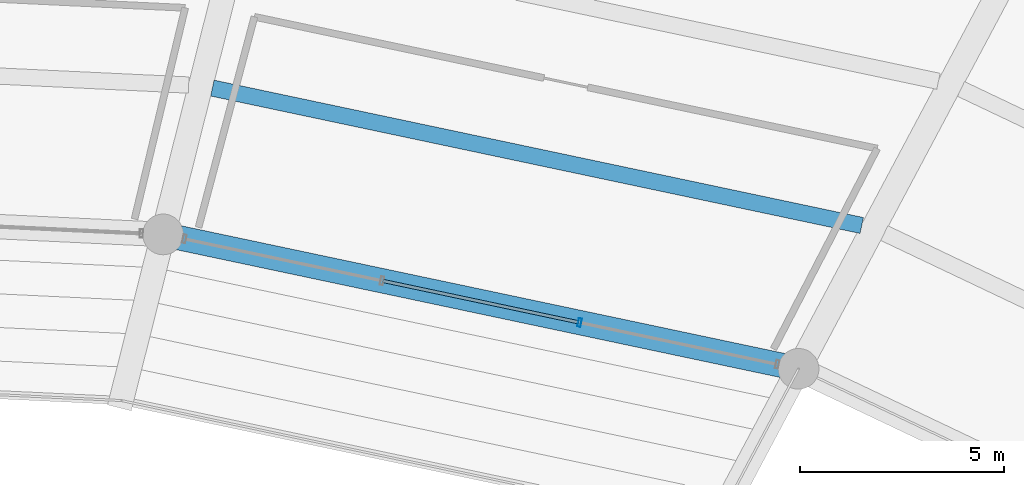
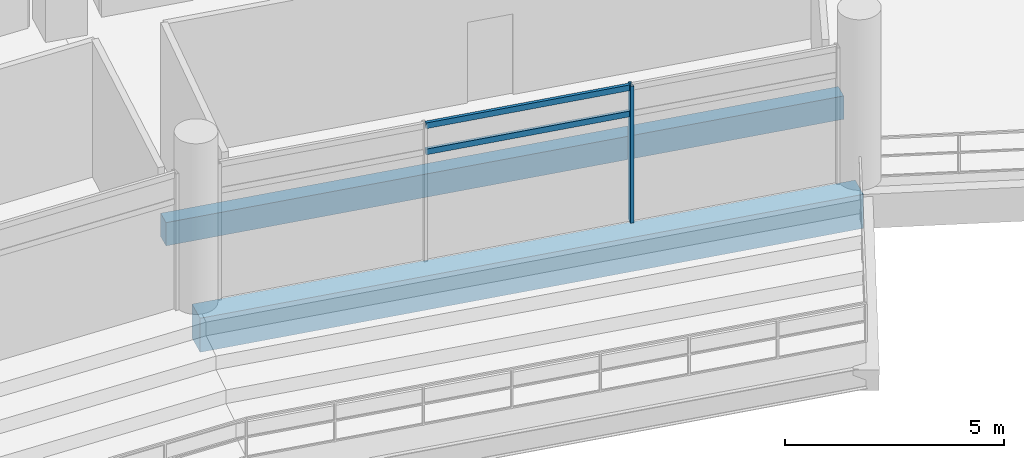
# One storey, part 98 of 171: 3 members, 2 beams, 1 element without a shape of its own.
"""IFC4 building model written with IfcOpenShell, lengths in metres."""

from ifc_helpers import new_model, si_unit, direction, frame, origin, origin_2d, place, context, subcontext, project, spatial, rectangle, hollow_rectangle, extrude, material, layer, layer_set, material_profile, profile_set, type_object, element, aggregate, save


model = new_model("IFC4")

# Units and contexts
model_context = context("Model", 3, precision=1e-05, world=origin(), true_north=direction((0.0, 1.0)))
body_context = subcontext(model_context, "Body", "Model", "MODEL_VIEW")
ifc_project = project(units=[si_unit("LENGTHUNIT", "METRE"), si_unit("AREAUNIT", "SQUARE_METRE"), si_unit("VOLUMEUNIT", "CUBIC_METRE"), si_unit("PLANEANGLEUNIT", "RADIAN"), si_unit("MASSUNIT", "GRAM", prefix="KILO")], contexts=[model_context])

# Site, building, storey
site_placement = place(None, origin())
site = spatial("IfcSite", under=ifc_project, at=site_placement, CompositionType="ELEMENT")
building_placement = place(site_placement, origin())
building = spatial("IfcBuilding", under=site, at=building_placement, Name="Kazemori Nagisa Stadium", CompositionType="ELEMENT")
storey_placement = place(building_placement, frame((0.0, 0.0, 15.639892578125)))
storey = spatial("IfcBuildingStorey", under=building, at=storey_placement, Name="L03", CompositionType="ELEMENT", Elevation=15.639892578125)

# Beams
ifc_material_1 = material(Name="Concrete C40/50 (Fc42)", Category="concrete")
ifc_material_profile_1 = material_profile(ifc_material_1, rectangle(XDim=0.60009765625, YDim=0.949951171875, at=origin_2d()), Name="RC-BM-600x950")
ifc_profile_set_1 = profile_set([ifc_material_profile_1], Name="Concrete C40/50 (Fc42)")
beam_type_1 = type_object("IfcBeamType", Name="Beam_BG-RC600X950", PredefinedType="BEAM", material=ifc_profile_set_1)
beam_1_placement = place(storey_placement, frame((154.24755859375, 160.739013671875, -0.73486328125), z_axis=(-0.978348272746, 0.206965352692, 0.0), x_axis=(-0.206965352692, -0.978348272746, 0.0)))
element("IfcBeam", 1, at=beam_1_placement, inside=storey, type_object=beam_type_1, Name="Ring girder BG-RC600X950 L03 R1-06", PredefinedType="BEAM", context=body_context, shape_type="SweptSolid", body=[
    extrude(rectangle(XDim=0.60009765625, YDim=0.949951171875, at=origin_2d()), origin(), (0.0, 0.0, 1.0), 15.950927734375),
])
ifc_material_profile_2 = material_profile(ifc_material_1, rectangle(XDim=0.39990234375, YDim=0.64990234375, at=origin_2d()), Name="RC-BM-400x650")
ifc_profile_set_2 = profile_set([ifc_material_profile_2], Name="Concrete C40/50 (Fc42)")
beam_type_2 = type_object("IfcBeamType", Name="Beam_BJ-RC400X650", PredefinedType="JOIST", material=ifc_profile_set_2)
beam_2_placement = place(storey_placement, frame((155.799560546875, 164.260009765625, -0.5849609375), z_axis=(-0.978345737153, 0.206977338361, 0.0), x_axis=(-0.206977338361, -0.978345737153, 0.0)))
element("IfcBeam", 2, at=beam_2_placement, inside=storey, type_object=beam_type_2, Name="Concourse joist BJ-RC400X650 L03 B06-1", PredefinedType="JOIST", context=body_context, shape_type="SweptSolid", body=[
    extrude(rectangle(XDim=0.39990234375, YDim=0.64990234375, at=origin_2d()), origin(), (0.0, 0.0, 1.0), 16.30029296875),
])

# Curtain wall, members
ifc_material_2 = material(Name="Anodised aluminium 6063-T5", Category="aluminium")
ifc_layer = layer(ifc_material_2, 0.2099609375, Name="Anodised aluminium 6063-T5", Category="aluminium")
ifc_layer_set = layer_set([ifc_layer], Name="Anodised aluminium 6063-T5")
curtain_wall_type = type_object("IfcCurtainWallType", Name="CW_L03B_75", PredefinedType="USERDEFINED", material=ifc_layer_set)
curtain_wall_placement = place(storey_placement, origin())
curtain_wall = element("IfcCurtainWall", 3, at=curtain_wall_placement, inside=storey, type_object=curtain_wall_type, Name="Unitised curtain wall CW-L03B-75 L03", ObjectType="UNITISED CURTAIN WALL", PredefinedType="USERDEFINED")
ifc_material_3 = material(Name="Aluminium 6063-T5 anodised", Category="aluminium")
ifc_material_profile_3 = material_profile(ifc_material_3, hollow_rectangle(XDim=0.080078125, YDim=0.2099609375, WallThickness=0.0048828125, at=origin_2d()), Name="ALU-MULL-80x210x5")
ifc_profile_set_3 = profile_set([ifc_material_profile_3], Name="Aluminium 6063-T5 anodised")
member_type_1 = type_object("IfcMemberType", Name="Mullion_M02", PredefinedType="MULLION", material=ifc_profile_set_3)
member_1_placement = place(storey_placement, frame((148.871337890625, 161.876220703125, 0.0), z_axis=(0.0, 0.0, 1.0), x_axis=(-0.978344955407, 0.206981033502, 0.0)))
member_1 = element("IfcMember", 4, at=member_1_placement, type_object=member_type_1, Name="Curtain wall mullion CW-L03B-75-M2", PredefinedType="MULLION", context=body_context, shape_type="SweptSolid", body=[
    extrude(hollow_rectangle(XDim=0.080078125, YDim=0.2099609375, WallThickness=0.0048828125, at=origin_2d()), origin(), (0.0, 0.0, 1.0), 3.81005859375),
])
ifc_material_profile_4 = material_profile(ifc_material_3, hollow_rectangle(XDim=0.080078125, YDim=0.159912109375, WallThickness=0.00390625, at=origin_2d()), Name="ALU-TRAN-80x160x4")
ifc_profile_set_4 = profile_set([ifc_material_profile_4], Name="Aluminium 6063-T5 anodised")
member_type_2 = type_object("IfcMemberType", Name="Transom_T02", PredefinedType="USERDEFINED", material=ifc_profile_set_4)
member_2_placement = place(storey_placement, frame((148.8515625, 161.88037109375, 3.010009765625), z_axis=(-0.978336562441, 0.207020700878, 0.0), x_axis=(-0.207020700878, -0.978336562441, 0.0)))
member_2 = element("IfcMember", 5, at=member_2_placement, type_object=member_type_2, Name="Curtain wall transom CW-L03B-75-T2-mid", ObjectType="TRANSOM", PredefinedType="USERDEFINED", context=body_context, shape_type="SweptSolid", body=[
    extrude(hollow_rectangle(XDim=0.080078125, YDim=0.159912109375, WallThickness=0.00390625, at=origin_2d()), origin(), (0.0, 0.0, 1.0), 4.920166015625),
])
member_3_placement = place(storey_placement, frame((148.8515625, 161.88037109375, 3.739990234375), z_axis=(-0.978336562441, 0.207020700878, 0.0), x_axis=(-0.207020700878, -0.978336562441, 0.0)))
member_3 = element("IfcMember", 6, at=member_3_placement, type_object=member_type_2, Name="Curtain wall transom CW-L03B-75-T2-head", ObjectType="TRANSOM", PredefinedType="USERDEFINED", context=body_context, shape_type="SweptSolid", body=[
    extrude(hollow_rectangle(XDim=0.080078125, YDim=0.159912109375, WallThickness=0.00390625, at=origin_2d()), origin(), (0.0, 0.0, 1.0), 4.920166015625),
])
aggregate(curtain_wall, [member_1, member_2, member_3])

save(model, "model.ifc")
